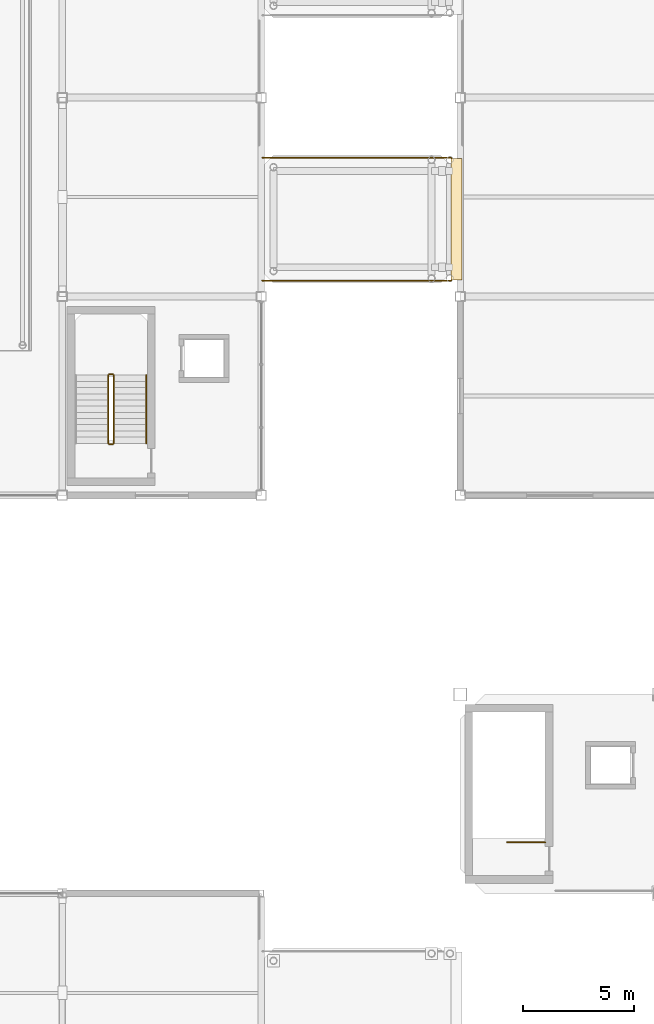
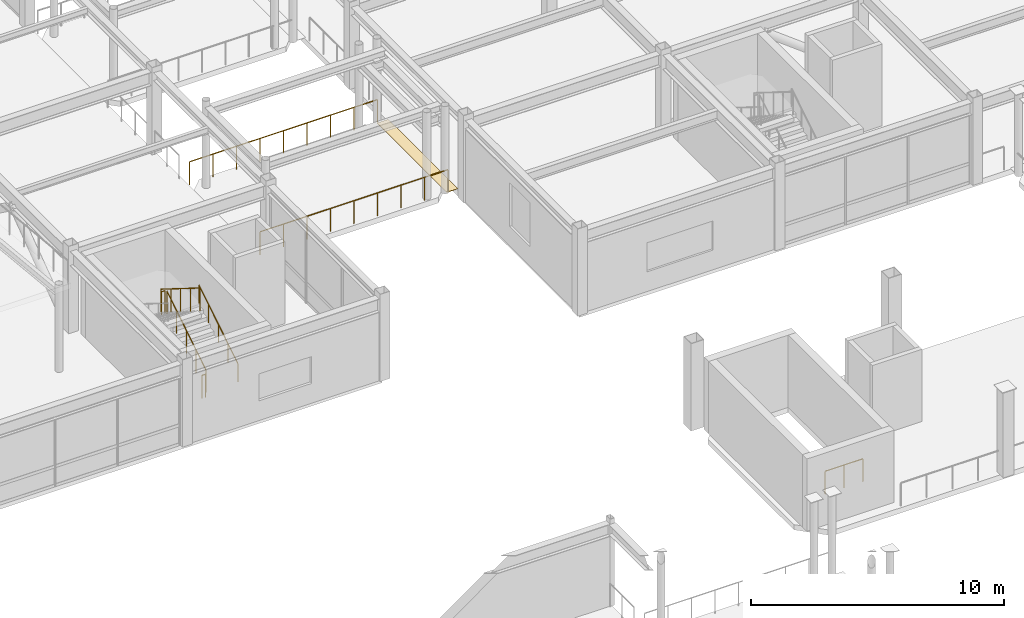
# One storey, part 93 of 105: 8 railings, 1 covering.
"""IFC4 building model written with IfcOpenShell, lengths in metres."""

from ifc_helpers import new_model, si_unit, direction, frame, origin, origin_2d, place, context, subcontext, project, spatial, polyline, circle, outline, extrude, material, layer, layer_set, type_object, element, save


model = new_model("IFC4")

# Units and contexts
model_context = context("Model", 3, precision=1e-05, world=origin(), true_north=direction((0.0, 1.0)))
body_context = subcontext(model_context, "Body", "Model", "MODEL_VIEW")
ifc_project = project(units=[si_unit("LENGTHUNIT", "METRE"), si_unit("AREAUNIT", "SQUARE_METRE"), si_unit("VOLUMEUNIT", "CUBIC_METRE"), si_unit("PLANEANGLEUNIT", "RADIAN"), si_unit("MASSUNIT", "GRAM", prefix="KILO")], contexts=[model_context])

# Site, building, storey
site_placement = place(None, origin())
site = spatial("IfcSite", under=ifc_project, at=site_placement, CompositionType="ELEMENT")
building_placement = place(site_placement, origin())
building = spatial("IfcBuilding", under=site, at=building_placement, Name="Suzunagisa Mobility Hub", CompositionType="ELEMENT")
storey_placement = place(building_placement, frame((0.0, 0.0, 5.10009765625)))
storey = spatial("IfcBuildingStorey", under=building, at=storey_placement, Name="L01", CompositionType="ELEMENT", Elevation=5.10009765625)

# Railings
ifc_material_1 = material(Name="Stainless Steel SUS304", Category="metal")
railing_type_1 = type_object("IfcRailingType", Name="Interior Well Guardrail IGR-01", PredefinedType="GUARDRAIL", material=ifc_material_1)
railing_1_placement = place(storey_placement, frame((48.840087890625, 64.31005859375, 0.0)))
element("IfcRailing", 1, at=railing_1_placement, inside=storey, type_object=railing_type_1, Name="L01 ST-03 top well guard 1", PredefinedType="GUARDRAIL", context=body_context, shape_type="SweptSolid", body=[
    extrude(circle(Radius=0.02392578125, at=origin_2d()), frame((0.0, 0.0, 1.09619140625), z_axis=(-1.0, 0.0, 0.0), x_axis=(0.0, -1.0, 0.0)), (0.0, 0.0, 1.0), 1.719970703125),
    extrude(circle(Radius=0.02099609375, at=origin_2d()), origin(), (0.0, 0.0, 1.0), 1.072021484375),
    extrude(circle(Radius=0.02099609375, at=origin_2d()), frame((-0.85986328125, 0.0, 0.0)), (0.0, 0.0, 1.0), 1.072021484375),
    extrude(circle(Radius=0.02099609375, at=origin_2d()), frame((-1.719970703125, 0.0, 0.0)), (0.0, 0.0, 1.0), 1.072021484375),
])
railing_2_placement = place(storey_placement, frame((29.330078125, 82.360107421875, 0.1748046875)))
element("IfcRailing", 2, at=railing_2_placement, inside=storey, type_object=railing_type_1, Name="L01 ST-05 stair guard 1", PredefinedType="GUARDRAIL", context=body_context, shape_type="SweptSolid", body=[
    extrude(circle(Radius=0.02392578125, at=origin_2d()), frame((0.0, 0.0, 1.09619140625), z_axis=(0.0, 0.847979421464, 0.530029150871), x_axis=(-1.0, 0.0, 0.0)), (0.0, 0.0, 1.0), 3.632080078125),
    extrude(circle(Radius=0.02099609375, at=origin_2d()), origin(), (0.0, 0.0, 1.0), 1.072021484375),
    extrude(circle(Radius=0.02099609375, at=origin_2d()), frame((0.0, 0.77001953125, 0.481201171875)), (0.0, 0.0, 1.0), 1.072021484375),
    extrude(circle(Radius=0.02099609375, at=origin_2d()), frame((0.0, 1.5400390625, 0.96240234375)), (0.0, 0.0, 1.0), 1.072021484375),
    extrude(circle(Radius=0.02099609375, at=origin_2d()), frame((0.0, 2.309814453125, 1.44384765625)), (0.0, 0.0, 1.0), 1.072021484375),
    extrude(circle(Radius=0.02099609375, at=origin_2d()), frame((0.0, 3.079833984375, 1.925048828125)), (0.0, 0.0, 1.0), 1.072021484375),
])
railing_3_placement = place(storey_placement, frame((29.280029296875, 85.489990234375, 2.099853515625)))
element("IfcRailing", 3, at=railing_3_placement, inside=storey, type_object=railing_type_1, Name="L01 ST-05 stair guard 2", PredefinedType="GUARDRAIL", context=body_context, shape_type="SweptSolid", body=[
    extrude(circle(Radius=0.02392578125, at=origin_2d()), frame((0.0, 0.0, 1.09619140625), z_axis=(-1.0, 0.0, 0.0), x_axis=(0.0, -1.0, 0.0)), (0.0, 0.0, 1.0), 0.159912109375),
    extrude(circle(Radius=0.02099609375, at=origin_2d()), origin(), (0.0, 0.0, 1.0), 1.072021484375),
    extrude(circle(Radius=0.02099609375, at=origin_2d()), frame((-0.159912109375, 0.0, 0.0)), (0.0, 0.0, 1.0), 1.072021484375),
])
railing_4_placement = place(storey_placement, frame((29.070068359375, 85.43994140625, 2.27490234375)))
element("IfcRailing", 4, at=railing_4_placement, inside=storey, type_object=railing_type_1, Name="L01 ST-05 stair guard 3", PredefinedType="GUARDRAIL", context=body_context, shape_type="SweptSolid", body=[
    extrude(circle(Radius=0.02392578125, at=origin_2d()), frame((0.0, 0.0, 1.09619140625), z_axis=(0.0, -0.847979421464, 0.530029150871), x_axis=(1.0, 0.0, 0.0)), (0.0, 0.0, 1.0), 3.632080078125),
    extrude(circle(Radius=0.02099609375, at=origin_2d()), origin(), (0.0, 0.0, 1.0), 1.072021484375),
    extrude(circle(Radius=0.02099609375, at=origin_2d()), frame((0.0, -0.77001953125, 0.481201171875)), (0.0, 0.0, 1.0), 1.072021484375),
    extrude(circle(Radius=0.02099609375, at=origin_2d()), frame((0.0, -1.5400390625, 0.96240234375)), (0.0, 0.0, 1.0), 1.072021484375),
    extrude(circle(Radius=0.02099609375, at=origin_2d()), frame((0.0, -2.309814453125, 1.44384765625)), (0.0, 0.0, 1.0), 1.072021484375),
    extrude(circle(Radius=0.02099609375, at=origin_2d()), frame((0.0, -3.079833984375, 1.925048828125)), (0.0, 0.0, 1.0), 1.072021484375),
])
railing_5_placement = place(storey_placement, frame((29.280029296875, 82.31005859375, 0.0)))
element("IfcRailing", 5, at=railing_5_placement, inside=storey, type_object=railing_type_1, Name="L01 ST-05 stair guard 4", PredefinedType="GUARDRAIL", context=body_context, shape_type="SweptSolid", body=[
    extrude(circle(Radius=0.02392578125, at=origin_2d()), frame((0.0, 0.0, 1.09619140625), z_axis=(-1.0, 0.0, 0.0), x_axis=(0.0, -1.0, 0.0)), (0.0, 0.0, 1.0), 0.159912109375),
    extrude(circle(Radius=0.02099609375, at=origin_2d()), origin(), (0.0, 0.0, 1.0), 1.072021484375),
    extrude(circle(Radius=0.02099609375, at=origin_2d()), frame((-0.159912109375, 0.0, 0.0)), (0.0, 0.0, 1.0), 1.072021484375),
])

# Covering
ifc_material_2 = material(Name="Polished Aggregate Terrazzo Finish")
ifc_layer = layer(ifc_material_2, 0.02001953125)
ifc_layer_set = layer_set([ifc_layer], Name="Polished Aggregate Terrazzo Finish")
covering_type = type_object("IfcCoveringType", Name="Polished Terrazzo Heavy-Traffic Flooring FLR-01", PredefinedType="FLOORING", material=ifc_layer_set)
covering_placement = place(storey_placement, frame((0.0, 0.0, -0.02001953125)))
element("IfcCovering", 6, at=covering_placement, inside=storey, type_object=covering_type, Name="L01 Flush Hinged Seismic Threshold Plate VRL-L01-S", PredefinedType="FLOORING", context=body_context, shape_type="SweptSolid", body=[
    extrude(outline(polyline([(44.570068359375, 89.75), (45.080078125, 89.75), (45.080078125, 95.25), (44.570068359375, 95.25), (44.570068359375, 89.75)])), origin(), (0.0, 0.0, 1.0), 0.02001953125),
])

# Railings
ifc_material_3 = material(Name="Stainless Steel SUS316", Category="metal")
railing_type_2 = type_object("IfcRailingType", Name="Terrace Stainless Steel Guardrail GR-01", PredefinedType="GUARDRAIL", material=ifc_material_3)
for number, where, name in (
    (7, (36.050048828125, 89.719970703125, 0.0), "L01 Bridge Edge Guardrail VRL-L01-S-75"),
    (8, (36.050048828125, 95.280029296875, 0.0), "L01 Bridge Edge Guardrail VRL-L01-S-76"),
):
    element("IfcRailing", number, at=place(storey_placement, frame(where)), inside=storey, type_object=railing_type_2, Name=name, PredefinedType="GUARDRAIL", context=body_context, shape_type="SweptSolid", body=[
        extrude(circle(Radius=0.02392578125, at=origin_2d()), frame((0.0, 0.0, 1.09619140625), z_axis=(1.0, 0.0, 0.0), x_axis=(0.0, 1.0, 0.0)), (0.0, 0.0, 1.0), 8.550048828125),
        extrude(circle(Radius=0.02099609375, at=origin_2d()), origin(), (0.0, 0.0, 1.0), 1.072021484375),
        extrude(circle(Radius=0.02099609375, at=origin_2d()), frame((1.06884765625, 0.0, 0.0)), (0.0, 0.0, 1.0), 1.072021484375),
        extrude(circle(Radius=0.02099609375, at=origin_2d()), frame((2.137451171875, 0.0, 0.0)), (0.0, 0.0, 1.0), 1.072021484375),
        extrude(circle(Radius=0.02099609375, at=origin_2d()), frame((3.206298828125, 0.0, 0.0)), (0.0, 0.0, 1.0), 1.072021484375),
        extrude(circle(Radius=0.02099609375, at=origin_2d()), frame((4.27490234375, 0.0, 0.0)), (0.0, 0.0, 1.0), 1.072021484375),
        extrude(circle(Radius=0.02099609375, at=origin_2d()), frame((5.34375, 0.0, 0.0)), (0.0, 0.0, 1.0), 1.072021484375),
        extrude(circle(Radius=0.02099609375, at=origin_2d()), frame((6.41259765625, 0.0, 0.0)), (0.0, 0.0, 1.0), 1.072021484375),
        extrude(circle(Radius=0.02099609375, at=origin_2d()), frame((7.481201171875, 0.0, 0.0)), (0.0, 0.0, 1.0), 1.072021484375),
        extrude(circle(Radius=0.02099609375, at=origin_2d()), frame((8.550048828125, 0.0, 0.0)), (0.0, 0.0, 1.0), 1.072021484375),
    ])
railing_type_3 = type_object("IfcRailingType", Name="Tubular Stainless Stair Handrail IHR-01", PredefinedType="HANDRAIL", material=ifc_material_1)
railing_6_placement = place(storey_placement, frame((30.7900390625, 82.360107421875, 0.1748046875)))
element("IfcRailing", 9, at=railing_6_placement, inside=storey, type_object=railing_type_3, Name="L01 ST-05 stair handrail 1", PredefinedType="HANDRAIL", context=body_context, shape_type="SweptSolid", body=[
    extrude(circle(Radius=0.02392578125, at=origin_2d()), frame((0.0, 0.0, 0.8759765625), z_axis=(0.0, 0.847979421464, 0.530029150871), x_axis=(-1.0, 0.0, 0.0)), (0.0, 0.0, 1.0), 3.632080078125),
    extrude(circle(Radius=0.02099609375, at=origin_2d()), origin(), (0.0, 0.0, 1.0), 0.851806640625),
    extrude(circle(Radius=0.02099609375, at=origin_2d()), frame((0.0, 0.77001953125, 0.481201171875)), (0.0, 0.0, 1.0), 0.851806640625),
    extrude(circle(Radius=0.02099609375, at=origin_2d()), frame((0.0, 1.5400390625, 0.96240234375)), (0.0, 0.0, 1.0), 0.851806640625),
    extrude(circle(Radius=0.02099609375, at=origin_2d()), frame((0.0, 2.309814453125, 1.44384765625)), (0.0, 0.0, 1.0), 0.851806640625),
    extrude(circle(Radius=0.02099609375, at=origin_2d()), frame((0.0, 3.079833984375, 1.925048828125)), (0.0, 0.0, 1.0), 0.851806640625),
])

save(model, "model.ifc")
